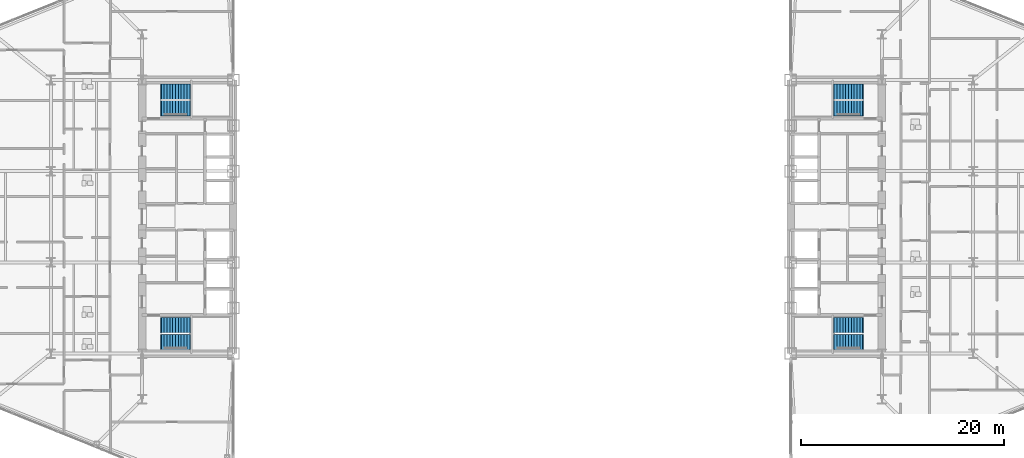
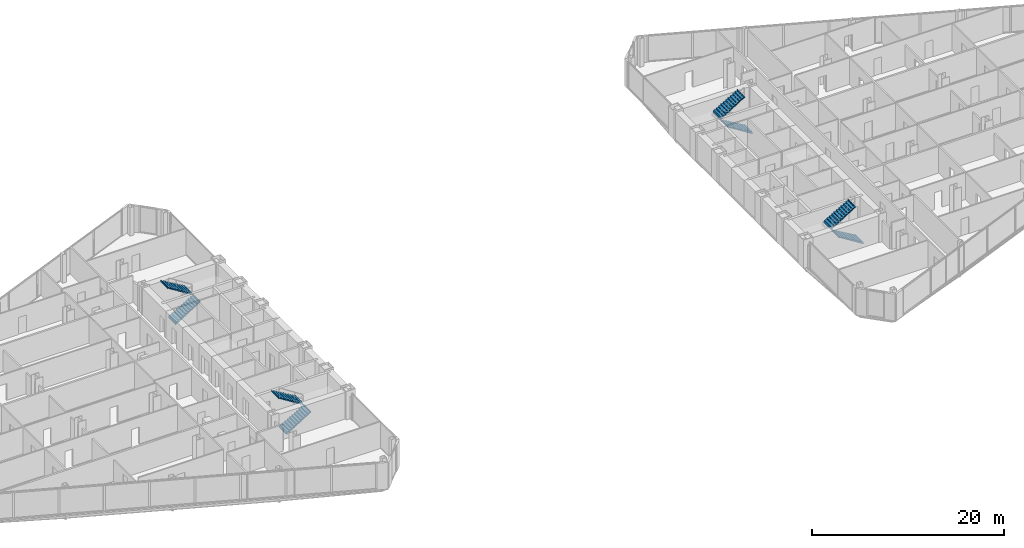
# One storey, part 23 of 25: 8 stair flights, 4 elements without a shape of their own.
"""IFC4 building model written with IfcOpenShell, lengths in metres."""

from ifc_helpers import new_model, si_unit, direction, frame, origin, place, context, subcontext, project, spatial, polyline, outline, extrude, material, type_object, element, aggregate, save


model = new_model("IFC4")

# Units and contexts
model_context = context("Model", 3, precision=1e-05, world=origin(), true_north=direction((0.0, 1.0)))
body_context = subcontext(model_context, "Body", "Model", "MODEL_VIEW")
ifc_project = project(units=[si_unit("LENGTHUNIT", "METRE"), si_unit("AREAUNIT", "SQUARE_METRE"), si_unit("VOLUMEUNIT", "CUBIC_METRE"), si_unit("PLANEANGLEUNIT", "RADIAN"), si_unit("MASSUNIT", "GRAM", prefix="KILO")], contexts=[model_context])

# Site, building, storey
site_placement = place(None, origin())
site = spatial("IfcSite", under=ifc_project, at=site_placement, CompositionType="ELEMENT")
building_placement = place(site_placement, origin())
building = spatial("IfcBuilding", under=site, at=building_placement, Name="Seokmaru Belvedere", CompositionType="ELEMENT")
storey_placement = place(building_placement, frame((0.0, 0.0, 26.10009765625)))
storey = spatial("IfcBuildingStorey", under=building, at=storey_placement, Name="L06", CompositionType="ELEMENT", Elevation=26.10009765625)

# Stair, stair flights
ifc_material = material(Name="Concrete C40 (40 MPa)", Category="concrete")
stair_type = type_object("IfcStairType", Name="Typical Tower Core Dog-Leg Stair 3600", PredefinedType="TWO_STRAIGHT_RUN_STAIR", material=ifc_material)
stair_1_placement = place(storey_placement, origin())
stair_1 = element("IfcStair", 1, at=stair_1_placement, inside=storey, type_object=stair_type, Name="L06 Special Escape Stair ST-W1", PredefinedType="TWO_STRAIGHT_RUN_STAIR")
stair_flight_type = type_object("IfcStairFlightType", Name="Reinforced Concrete Stair Flight 1500", PredefinedType="STRAIGHT", material=ifc_material)
stair_flight_1_placement = place(storey_placement, frame((-34.60009765625, -12.35009765625, 0.0), z_axis=(0.0, 0.0, 1.0), x_axis=(1.0, 0.0, 0.0)))
stair_flight_1 = element("IfcStairFlight", 2, at=stair_flight_1_placement, type_object=stair_flight_type, Name="ST-W1 flight 1", NumberOfRisers=11, NumberOfTreads=10, PredefinedType="STRAIGHT", RiserHeight=0.163636364, TreadLength=0.28, context=body_context, shape_type="SweptSolid", body=[
    extrude(outline(polyline([(-0.080078125, 0.0), (0.0, 0.16357421875), (0.280029296875, 0.16357421875), (0.280029296875, 0.327392578125), (0.56005859375, 0.327392578125), (0.56005859375, 0.490966796875), (0.840087890625, 0.490966796875), (0.840087890625, 0.654541015625), (1.1201171875, 0.654541015625), (1.1201171875, 0.818115234375), (1.39990234375, 0.818115234375), (1.39990234375, 0.98193359375), (1.679931640625, 0.98193359375), (1.679931640625, 1.1455078125), (1.9599609375, 1.1455078125), (1.9599609375, 1.30908203125), (2.239990234375, 1.30908203125), (2.239990234375, 1.47265625), (2.52001953125, 1.47265625), (2.52001953125, 1.636474609375), (2.800048828125, 1.636474609375), (2.800048828125, 1.800048828125), (2.8798828125, 1.800048828125), (2.8798828125, 1.610107421875), (2.800048828125, 1.610107421875), (0.0, -0.159912109375), (-0.080078125, -0.159912109375), (-0.080078125, 0.0)])), frame((0.0, 0.75, 0.0), z_axis=(0.0, -1.0, 0.0), x_axis=(1.0, 0.0, 0.0)), (0.0, 0.0, 1.0), 1.5),
])
stair_flight_2_placement = place(storey_placement, frame((-31.800048828125, -10.7099609375, 1.7998046875), z_axis=(0.0, 0.0, 1.0), x_axis=(-1.0, 0.0, 0.0)))
stair_flight_2 = element("IfcStairFlight", 3, at=stair_flight_2_placement, type_object=stair_flight_type, Name="ST-W1 flight 2", NumberOfRisers=11, NumberOfTreads=10, PredefinedType="STRAIGHT", RiserHeight=0.163636364, TreadLength=0.28, context=body_context, shape_type="SweptSolid", body=[
    extrude(outline(polyline([(-0.080078125, 0.0), (0.0, 0.16357421875), (0.280029296875, 0.16357421875), (0.280029296875, 0.327392578125), (0.56005859375, 0.327392578125), (0.56005859375, 0.490966796875), (0.840087890625, 0.490966796875), (0.840087890625, 0.654541015625), (1.1201171875, 0.654541015625), (1.1201171875, 0.818115234375), (1.39990234375, 0.818115234375), (1.39990234375, 0.98193359375), (1.679931640625, 0.98193359375), (1.679931640625, 1.1455078125), (1.9599609375, 1.1455078125), (1.9599609375, 1.30908203125), (2.239990234375, 1.30908203125), (2.239990234375, 1.47265625), (2.52001953125, 1.47265625), (2.52001953125, 1.636474609375), (2.800048828125, 1.636474609375), (2.800048828125, 1.800048828125), (2.8798828125, 1.800048828125), (2.8798828125, 1.610107421875), (2.800048828125, 1.610107421875), (0.0, -0.159912109375), (-0.080078125, -0.159912109375), (-0.080078125, 0.0)])), frame((0.0, 0.75, 0.0), z_axis=(0.0, -1.0, 0.0), x_axis=(1.0, 0.0, 0.0)), (0.0, 0.0, 1.0), 1.5),
])
aggregate(stair_1, [stair_flight_1, stair_flight_2])

stair_2_placement = place(storey_placement, origin())
stair_2 = element("IfcStair", 4, at=stair_2_placement, inside=storey, type_object=stair_type, Name="L06 Special Escape Stair ST-W2", PredefinedType="TWO_STRAIGHT_RUN_STAIR")
stair_flight_3_placement = place(storey_placement, frame((-34.60009765625, 10.7099609375, 0.0), z_axis=(0.0, 0.0, 1.0), x_axis=(1.0, 0.0, 0.0)))
stair_flight_3 = element("IfcStairFlight", 5, at=stair_flight_3_placement, type_object=stair_flight_type, Name="ST-W2 flight 1", NumberOfRisers=11, NumberOfTreads=10, PredefinedType="STRAIGHT", RiserHeight=0.163636364, TreadLength=0.28, context=body_context, shape_type="SweptSolid", body=[
    extrude(outline(polyline([(-0.080078125, 0.0), (0.0, 0.16357421875), (0.280029296875, 0.16357421875), (0.280029296875, 0.327392578125), (0.56005859375, 0.327392578125), (0.56005859375, 0.490966796875), (0.840087890625, 0.490966796875), (0.840087890625, 0.654541015625), (1.1201171875, 0.654541015625), (1.1201171875, 0.818115234375), (1.39990234375, 0.818115234375), (1.39990234375, 0.98193359375), (1.679931640625, 0.98193359375), (1.679931640625, 1.1455078125), (1.9599609375, 1.1455078125), (1.9599609375, 1.30908203125), (2.239990234375, 1.30908203125), (2.239990234375, 1.47265625), (2.52001953125, 1.47265625), (2.52001953125, 1.636474609375), (2.800048828125, 1.636474609375), (2.800048828125, 1.800048828125), (2.8798828125, 1.800048828125), (2.8798828125, 1.610107421875), (2.800048828125, 1.610107421875), (0.0, -0.159912109375), (-0.080078125, -0.159912109375), (-0.080078125, 0.0)])), frame((0.0, 0.75, 0.0), z_axis=(0.0, -1.0, 0.0), x_axis=(1.0, 0.0, 0.0)), (0.0, 0.0, 1.0), 1.5),
])
stair_flight_4_placement = place(storey_placement, frame((-31.800048828125, 12.35009765625, 1.7998046875), z_axis=(0.0, 0.0, 1.0), x_axis=(-1.0, 0.0, 0.0)))
stair_flight_4 = element("IfcStairFlight", 6, at=stair_flight_4_placement, type_object=stair_flight_type, Name="ST-W2 flight 2", NumberOfRisers=11, NumberOfTreads=10, PredefinedType="STRAIGHT", RiserHeight=0.163636364, TreadLength=0.28, context=body_context, shape_type="SweptSolid", body=[
    extrude(outline(polyline([(-0.080078125, 0.0), (0.0, 0.16357421875), (0.280029296875, 0.16357421875), (0.280029296875, 0.327392578125), (0.56005859375, 0.327392578125), (0.56005859375, 0.490966796875), (0.840087890625, 0.490966796875), (0.840087890625, 0.654541015625), (1.1201171875, 0.654541015625), (1.1201171875, 0.818115234375), (1.39990234375, 0.818115234375), (1.39990234375, 0.98193359375), (1.679931640625, 0.98193359375), (1.679931640625, 1.1455078125), (1.9599609375, 1.1455078125), (1.9599609375, 1.30908203125), (2.239990234375, 1.30908203125), (2.239990234375, 1.47265625), (2.52001953125, 1.47265625), (2.52001953125, 1.636474609375), (2.800048828125, 1.636474609375), (2.800048828125, 1.800048828125), (2.8798828125, 1.800048828125), (2.8798828125, 1.610107421875), (2.800048828125, 1.610107421875), (0.0, -0.159912109375), (-0.080078125, -0.159912109375), (-0.080078125, 0.0)])), frame((0.0, 0.75, 0.0), z_axis=(0.0, -1.0, 0.0), x_axis=(1.0, 0.0, 0.0)), (0.0, 0.0, 1.0), 1.5),
])
aggregate(stair_2, [stair_flight_3, stair_flight_4])

stair_3_placement = place(storey_placement, origin())
stair_3 = element("IfcStair", 7, at=stair_3_placement, inside=storey, type_object=stair_type, Name="L06 Special Escape Stair ST-E1", PredefinedType="TWO_STRAIGHT_RUN_STAIR")
stair_flight_5_placement = place(storey_placement, frame((34.60009765625, -12.35009765625, 0.0), z_axis=(0.0, 0.0, 1.0), x_axis=(-1.0, 0.0, 0.0)))
stair_flight_5 = element("IfcStairFlight", 8, at=stair_flight_5_placement, type_object=stair_flight_type, Name="ST-E1 flight 1", NumberOfRisers=11, NumberOfTreads=10, PredefinedType="STRAIGHT", RiserHeight=0.163636364, TreadLength=0.28, context=body_context, shape_type="SweptSolid", body=[
    extrude(outline(polyline([(-0.080078125, 0.0), (0.0, 0.16357421875), (0.280029296875, 0.16357421875), (0.280029296875, 0.327392578125), (0.56005859375, 0.327392578125), (0.56005859375, 0.490966796875), (0.840087890625, 0.490966796875), (0.840087890625, 0.654541015625), (1.1201171875, 0.654541015625), (1.1201171875, 0.818115234375), (1.39990234375, 0.818115234375), (1.39990234375, 0.98193359375), (1.679931640625, 0.98193359375), (1.679931640625, 1.1455078125), (1.9599609375, 1.1455078125), (1.9599609375, 1.30908203125), (2.239990234375, 1.30908203125), (2.239990234375, 1.47265625), (2.52001953125, 1.47265625), (2.52001953125, 1.636474609375), (2.800048828125, 1.636474609375), (2.800048828125, 1.800048828125), (2.8798828125, 1.800048828125), (2.8798828125, 1.610107421875), (2.800048828125, 1.610107421875), (0.0, -0.159912109375), (-0.080078125, -0.159912109375), (-0.080078125, 0.0)])), frame((0.0, 0.75, 0.0), z_axis=(0.0, -1.0, 0.0), x_axis=(1.0, 0.0, 0.0)), (0.0, 0.0, 1.0), 1.5),
])
stair_flight_6_placement = place(storey_placement, frame((31.800048828125, -10.7099609375, 1.7998046875), z_axis=(0.0, 0.0, 1.0), x_axis=(1.0, 0.0, 0.0)))
stair_flight_6 = element("IfcStairFlight", 9, at=stair_flight_6_placement, type_object=stair_flight_type, Name="ST-E1 flight 2", NumberOfRisers=11, NumberOfTreads=10, PredefinedType="STRAIGHT", RiserHeight=0.163636364, TreadLength=0.28, context=body_context, shape_type="SweptSolid", body=[
    extrude(outline(polyline([(-0.080078125, 0.0), (0.0, 0.16357421875), (0.280029296875, 0.16357421875), (0.280029296875, 0.327392578125), (0.56005859375, 0.327392578125), (0.56005859375, 0.490966796875), (0.840087890625, 0.490966796875), (0.840087890625, 0.654541015625), (1.1201171875, 0.654541015625), (1.1201171875, 0.818115234375), (1.39990234375, 0.818115234375), (1.39990234375, 0.98193359375), (1.679931640625, 0.98193359375), (1.679931640625, 1.1455078125), (1.9599609375, 1.1455078125), (1.9599609375, 1.30908203125), (2.239990234375, 1.30908203125), (2.239990234375, 1.47265625), (2.52001953125, 1.47265625), (2.52001953125, 1.636474609375), (2.800048828125, 1.636474609375), (2.800048828125, 1.800048828125), (2.8798828125, 1.800048828125), (2.8798828125, 1.610107421875), (2.800048828125, 1.610107421875), (0.0, -0.159912109375), (-0.080078125, -0.159912109375), (-0.080078125, 0.0)])), frame((0.0, 0.75, 0.0), z_axis=(0.0, -1.0, 0.0), x_axis=(1.0, 0.0, 0.0)), (0.0, 0.0, 1.0), 1.5),
])
aggregate(stair_3, [stair_flight_5, stair_flight_6])

stair_4_placement = place(storey_placement, origin())
stair_4 = element("IfcStair", 10, at=stair_4_placement, inside=storey, type_object=stair_type, Name="L06 Special Escape Stair ST-E2", PredefinedType="TWO_STRAIGHT_RUN_STAIR")
stair_flight_7_placement = place(storey_placement, frame((34.60009765625, 10.7099609375, 0.0), z_axis=(0.0, 0.0, 1.0), x_axis=(-1.0, 0.0, 0.0)))
stair_flight_7 = element("IfcStairFlight", 11, at=stair_flight_7_placement, type_object=stair_flight_type, Name="ST-E2 flight 1", NumberOfRisers=11, NumberOfTreads=10, PredefinedType="STRAIGHT", RiserHeight=0.163636364, TreadLength=0.28, context=body_context, shape_type="SweptSolid", body=[
    extrude(outline(polyline([(-0.080078125, 0.0), (0.0, 0.16357421875), (0.280029296875, 0.16357421875), (0.280029296875, 0.327392578125), (0.56005859375, 0.327392578125), (0.56005859375, 0.490966796875), (0.840087890625, 0.490966796875), (0.840087890625, 0.654541015625), (1.1201171875, 0.654541015625), (1.1201171875, 0.818115234375), (1.39990234375, 0.818115234375), (1.39990234375, 0.98193359375), (1.679931640625, 0.98193359375), (1.679931640625, 1.1455078125), (1.9599609375, 1.1455078125), (1.9599609375, 1.30908203125), (2.239990234375, 1.30908203125), (2.239990234375, 1.47265625), (2.52001953125, 1.47265625), (2.52001953125, 1.636474609375), (2.800048828125, 1.636474609375), (2.800048828125, 1.800048828125), (2.8798828125, 1.800048828125), (2.8798828125, 1.610107421875), (2.800048828125, 1.610107421875), (0.0, -0.159912109375), (-0.080078125, -0.159912109375), (-0.080078125, 0.0)])), frame((0.0, 0.75, 0.0), z_axis=(0.0, -1.0, 0.0), x_axis=(1.0, 0.0, 0.0)), (0.0, 0.0, 1.0), 1.5),
])
stair_flight_8_placement = place(storey_placement, frame((31.800048828125, 12.35009765625, 1.7998046875), z_axis=(0.0, 0.0, 1.0), x_axis=(1.0, 0.0, 0.0)))
stair_flight_8 = element("IfcStairFlight", 12, at=stair_flight_8_placement, type_object=stair_flight_type, Name="ST-E2 flight 2", NumberOfRisers=11, NumberOfTreads=10, PredefinedType="STRAIGHT", RiserHeight=0.163636364, TreadLength=0.28, context=body_context, shape_type="SweptSolid", body=[
    extrude(outline(polyline([(-0.080078125, 0.0), (0.0, 0.16357421875), (0.280029296875, 0.16357421875), (0.280029296875, 0.327392578125), (0.56005859375, 0.327392578125), (0.56005859375, 0.490966796875), (0.840087890625, 0.490966796875), (0.840087890625, 0.654541015625), (1.1201171875, 0.654541015625), (1.1201171875, 0.818115234375), (1.39990234375, 0.818115234375), (1.39990234375, 0.98193359375), (1.679931640625, 0.98193359375), (1.679931640625, 1.1455078125), (1.9599609375, 1.1455078125), (1.9599609375, 1.30908203125), (2.239990234375, 1.30908203125), (2.239990234375, 1.47265625), (2.52001953125, 1.47265625), (2.52001953125, 1.636474609375), (2.800048828125, 1.636474609375), (2.800048828125, 1.800048828125), (2.8798828125, 1.800048828125), (2.8798828125, 1.610107421875), (2.800048828125, 1.610107421875), (0.0, -0.159912109375), (-0.080078125, -0.159912109375), (-0.080078125, 0.0)])), frame((0.0, 0.75, 0.0), z_axis=(0.0, -1.0, 0.0), x_axis=(1.0, 0.0, 0.0)), (0.0, 0.0, 1.0), 1.5),
])
aggregate(stair_4, [stair_flight_7, stair_flight_8])

save(model, "model.ifc")
